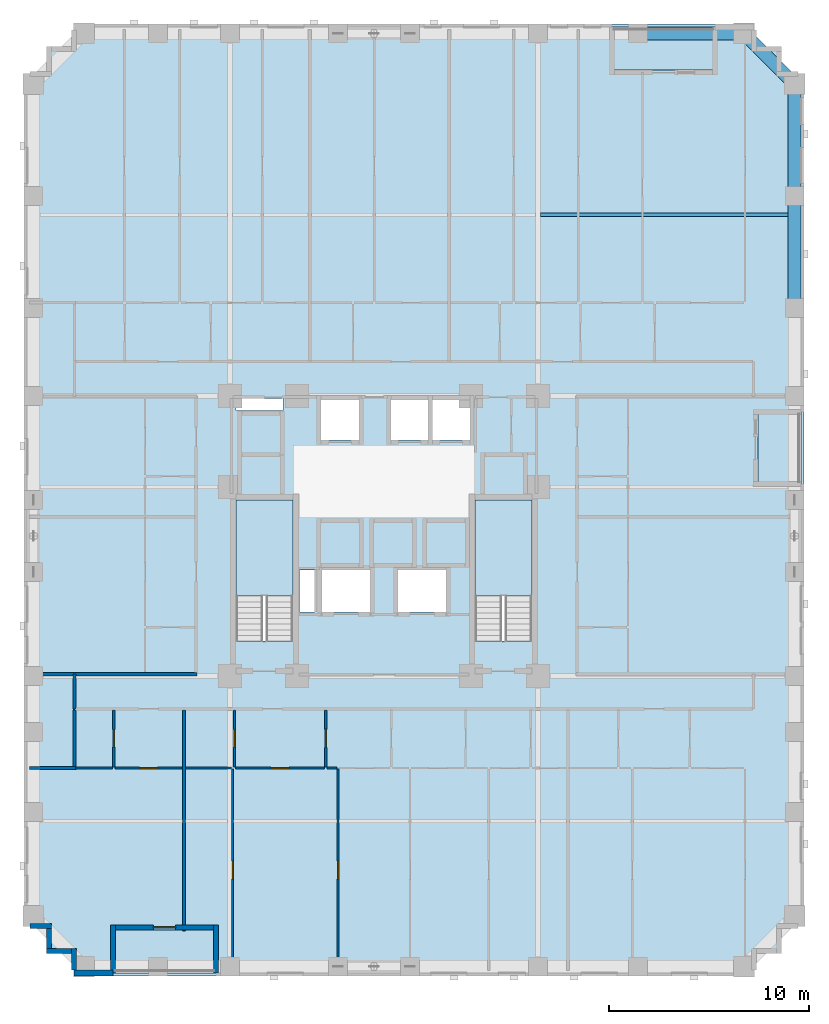
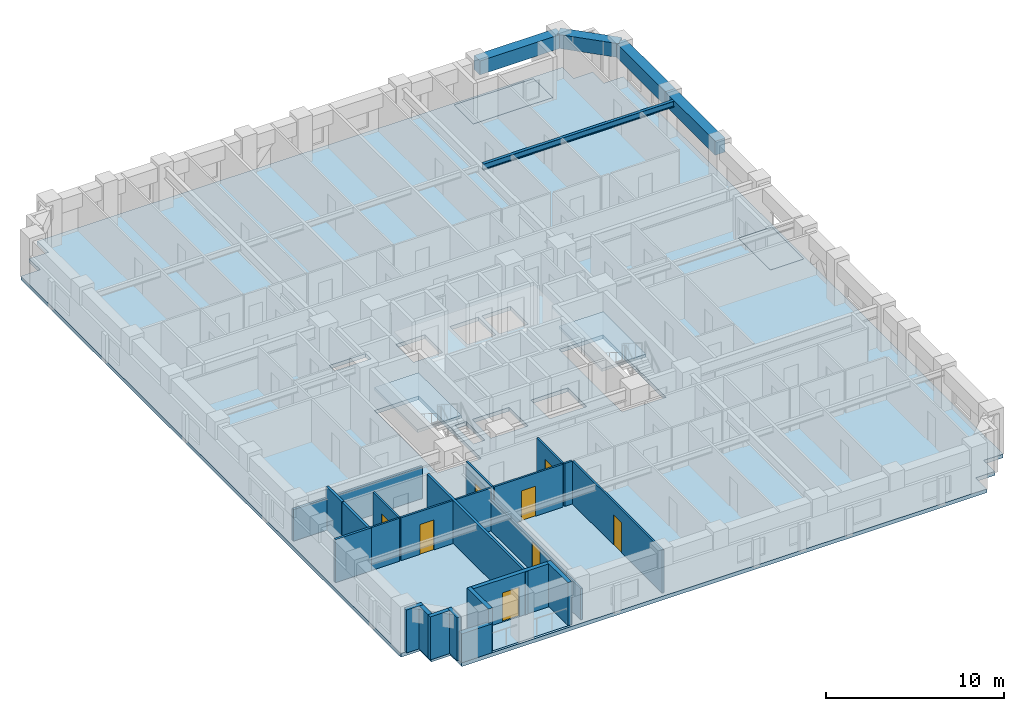
# One storey, part 2 of 13: 23 walls, 8 doors, 6 slabs, 5 beams, 8 openings, 2 elements without a shape of their own.
"""IFC4 building model written with IfcOpenShell, lengths in metres."""

from ifc_helpers import new_model, si_unit, derived_unit, direction, frame, frame_2d, origin, origin_2d, place, context, subcontext, project, spatial, polyline, rectangle, i_section, outline, extrude, material, layer, layer_set, material_profile, profile_set, type_object, element, fill, aggregate, save


model = new_model("IFC4")

# Units and contexts
model_context = context("Model", 3, precision=1e-05, world=origin(), true_north=direction((0.0, 1.0)))
body_context = subcontext(model_context, "Body", "Model", "MODEL_VIEW")
ifc_project = project(units=[si_unit("LENGTHUNIT", "METRE"), si_unit("AREAUNIT", "SQUARE_METRE"), si_unit("VOLUMEUNIT", "CUBIC_METRE"), si_unit("PLANEANGLEUNIT", "RADIAN"), si_unit("MASSUNIT", "GRAM", prefix="KILO"), derived_unit("THERMALTRANSMITTANCEUNIT", [(si_unit("MASSUNIT", "GRAM", prefix="KILO"), 1), (si_unit("TIMEUNIT", "SECOND"), -3), (si_unit("THERMODYNAMICTEMPERATUREUNIT", "KELVIN"), -1)])], contexts=[model_context])

# Site, building, storey
site_placement = place(None, origin())
site = spatial("IfcSite", under=ifc_project, at=site_placement, CompositionType="ELEMENT")
building_placement = place(site_placement, origin())
building = spatial("IfcBuilding", under=site, at=building_placement, Name="Korrvale Station Residences", CompositionType="ELEMENT")
storey_placement = place(building_placement, frame((0.0, 0.0, 35.39990234375)))
storey = spatial("IfcBuildingStorey", under=building, at=storey_placement, Name="L08", CompositionType="ELEMENT", Elevation=35.39990234375)

# Beams
ifc_material_1 = material(Name="Steel S355", Category="steel")
ifc_material_profile_1 = material_profile(ifc_material_1, i_section(OverallWidth=0.180908203125, OverallDepth=0.4169921875, WebThickness=0.010986328125, FlangeThickness=0.018310546875, FilletRadius=0.01611328125, at=origin_2d()), Name="W410x85")
ifc_profile_set_1 = profile_set([ifc_material_profile_1], Name="Steel S355")
beam_type_1 = type_object("IfcBeamType", Name="BM-JST-W410x85-S355", PredefinedType="JOIST", material=ifc_profile_set_1)
beam_1_placement = place(storey_placement, frame((33.333984375, 38.06005859375, 2.731689453125), z_axis=(1.0, 0.0, 0.0), x_axis=(0.0, 1.0, 0.0)))
element("IfcBeam", 1, at=beam_1_placement, inside=storey, type_object=beam_type_1, Name="L08 Floor Framing Joist 06", PredefinedType="JOIST", context=body_context, shape_type="SweptSolid", body=[
    extrude(i_section(OverallWidth=0.180908203125, OverallDepth=0.4169921875, WebThickness=0.010986328125, FlangeThickness=0.018310546875, FilletRadius=0.01611328125, at=origin_2d()), origin(), (0.0, 0.0, 1.0), 12.361083984375),
])
ifc_material_2 = material(Name="Concrete C70/85", Category="concrete")
ifc_material_profile_2 = material_profile(ifc_material_2, rectangle(XDim=0.64990234375, YDim=0.949951171875, at=origin_2d()), Name="RCB650x950")
ifc_profile_set_2 = profile_set([ifc_material_profile_2], Name="Concrete C70/85")
beam_type_2 = type_object("IfcBeamType", Name="BM-SPB-RCB650x950-C7085", PredefinedType="SPANDREL", material=ifc_profile_set_2)
beam_2_placement = place(storey_placement, frame((38.199951171875, 47.1201171875, 2.465087890625), z_axis=(1.0, 0.0, 0.0), x_axis=(0.0, 1.0, 0.0)))
element("IfcBeam", 2, at=beam_2_placement, inside=storey, type_object=beam_type_2, Name="L08 North Tube Spandrel 14", PredefinedType="SPANDREL", context=body_context, shape_type="SweptSolid", body=[
    extrude(rectangle(XDim=0.64990234375, YDim=0.949951171875, at=origin_2d()), origin(), (0.0, 0.0, 1.0), 5.300048828125),
])
for number, where, z_axis, x_axis, name in (
    (3, (46.02001953125, 33.39990234375, 2.465087890625), (0.0, 1.0, 0.0), (-1.0, 0.0, 0.0), "L08 East Tube Spandrel 31"),
    (4, (46.02001953125, 39.0, 2.465087890625), (0.0, 1.0, 0.0), (-1.0, 0.0, 0.0), "L08 East Tube Spandrel 32"),
):
    element("IfcBeam", number, at=place(storey_placement, frame(where, z_axis=z_axis, x_axis=x_axis)), inside=storey, type_object=beam_type_2, Name=name, PredefinedType="SPANDREL", context=body_context, shape_type="SweptSolid", body=[
        extrude(rectangle(XDim=0.64990234375, YDim=0.949951171875, at=origin_2d()), origin(), (0.0, 0.0, 1.0), 5.60009765625),
    ])
beam_3_placement = place(storey_placement, frame((43.5, 47.1201171875, 2.465087890625), z_axis=(0.707106781187, -0.707106781187, 0.0), x_axis=(0.707106781187, 0.707106781187, 0.0)))
element("IfcBeam", 5, at=beam_3_placement, inside=storey, type_object=beam_type_2, Name="L08 Serrated Corner Spandrel 35", PredefinedType="SPANDREL", context=body_context, shape_type="SweptSolid", body=[
    extrude(rectangle(XDim=0.64990234375, YDim=0.949951171875, at=origin_2d()), origin(), (0.0, 0.0, 1.0), 3.56396484375),
])

# Slabs
ifc_material_3 = material(Name="Concrete C50/60", Category="concrete")
ifc_layer_1 = layer(ifc_material_3, 0.219970703125, Name="Concrete C50/60")
ifc_layer_set_1 = layer_set([ifc_layer_1], Name="Concrete C50/60")
slab_type_1 = type_object("IfcSlabType", Name="SLB-BAL-220", PredefinedType="FLOOR", material=ifc_layer_set_1)
slab_1_placement = place(storey_placement, frame((0.0, 0.0, -0.219970703125)))
element("IfcSlab", 6, at=slab_1_placement, inside=storey, type_object=slab_type_1, Name="L08 Recessed Loggia Balcony Slab BAL-L08-S1", PredefinedType="FLOOR", context=body_context, shape_type="SweptSolid", body=[
    extrude(outline(polyline([(11.949951171875, 0.14990234375), (17.10009765625, 0.14990234375), (17.10009765625, 2.300048828125), (11.949951171875, 2.300048828125), (11.949951171875, 0.14990234375)])), origin(), (0.0, 0.0, 1.0), 0.219970703125),
])
slab_2_placement = place(storey_placement, frame((0.0, 0.0, -0.219970703125)))
element("IfcSlab", 7, at=slab_2_placement, inside=storey, type_object=slab_type_1, Name="L08 Recessed Loggia Balcony Slab BAL-L08-N1", PredefinedType="FLOOR", context=body_context, shape_type="SweptSolid", body=[
    extrude(outline(polyline([(36.89990234375, 45.300048828125), (42.050048828125, 45.300048828125), (42.050048828125, 47.449951171875), (36.89990234375, 47.449951171875), (36.89990234375, 45.300048828125)])), origin(), (0.0, 0.0, 1.0), 0.219970703125),
])
slab_3_placement = place(storey_placement, frame((0.0, 0.0, -0.219970703125)))
element("IfcSlab", 8, at=slab_3_placement, inside=storey, type_object=slab_type_1, Name="L08 Recessed Loggia Balcony Slab BAL-L08-E1", PredefinedType="FLOOR", context=body_context, shape_type="SweptSolid", body=[
    extrude(outline(polyline([(44.199951171875, 24.60009765625), (46.35009765625, 24.60009765625), (46.35009765625, 28.199951171875), (44.199951171875, 28.199951171875), (44.199951171875, 24.60009765625)])), origin(), (0.0, 0.0, 1.0), 0.219970703125),
])
ifc_layer_2 = layer(ifc_material_3, 0.260009765625, Name="Concrete C50/60")
ifc_layer_set_2 = layer_set([ifc_layer_2], Name="Concrete C50/60")
slab_type_2 = type_object("IfcSlabType", Name="SLB-FLR-260", PredefinedType="FLOOR", material=ifc_layer_set_2)
slab_4_placement = place(storey_placement, frame((0.0, 0.0, -0.260009765625)))
element("IfcSlab", 9, at=slab_4_placement, inside=storey, type_object=slab_type_2, Name="L08 Suspended Structural Floor Slab", PredefinedType="FLOOR", context=body_context, shape_type="SweptSolid", body=[
    extrude(outline(polyline([(10.0, 0.0), (44.0, 0.0), (44.0, 1.25), (45.25, 1.25), (45.25, 2.5), (46.5, 2.5), (46.5, 45.10009765625), (45.25, 45.10009765625), (45.25, 46.35009765625), (44.0, 46.35009765625), (44.0, 47.60009765625), (10.0, 47.60009765625), (10.0, 46.35009765625), (8.75, 46.35009765625), (8.75, 45.10009765625), (7.5, 45.10009765625), (7.5, 2.5), (8.75, 2.5), (8.75, 1.25), (10.0, 1.25), (10.0, 0.0)]), holes=[polyline([(20.949951171875, 16.751953125), (20.949951171875, 23.800048828125), (18.10009765625, 23.800048828125), (18.10009765625, 16.751953125), (20.949951171875, 16.751953125)]), polyline([(32.89990234375, 16.751953125), (32.89990234375, 23.800048828125), (30.050048828125, 23.800048828125), (30.050048828125, 16.751953125), (32.89990234375, 16.751953125)]), polyline([(22.35009765625, 26.800048828125), (24.25, 26.800048828125), (24.25, 28.800048828125), (22.35009765625, 28.800048828125), (22.35009765625, 26.800048828125)]), polyline([(25.85009765625, 26.800048828125), (27.7099609375, 26.800048828125), (27.7099609375, 28.800048828125), (25.85009765625, 28.800048828125), (25.85009765625, 26.800048828125)]), polyline([(27.929931640625, 26.800048828125), (29.7900390625, 26.800048828125), (29.7900390625, 28.800048828125), (27.929931640625, 28.800048828125), (27.929931640625, 26.800048828125)]), polyline([(22.39990234375, 18.199951171875), (24.800048828125, 18.199951171875), (24.800048828125, 20.300048828125), (22.39990234375, 20.300048828125), (22.39990234375, 18.199951171875)]), polyline([(26.199951171875, 18.199951171875), (28.60009765625, 18.199951171875), (28.60009765625, 20.300048828125), (26.199951171875, 20.300048828125), (26.199951171875, 18.199951171875)]), polyline([(18.10009765625, 28.280029296875), (20.449951171875, 28.280029296875), (20.449951171875, 28.8798828125), (18.10009765625, 28.8798828125), (18.10009765625, 28.280029296875)]), polyline([(21.280029296875, 18.199951171875), (22.02001953125, 18.199951171875), (22.02001953125, 20.300048828125), (21.280029296875, 20.300048828125), (21.280029296875, 18.199951171875)]), polyline([(11.949951171875, 0.14990234375), (17.10009765625, 0.14990234375), (17.10009765625, 2.300048828125), (11.949951171875, 2.300048828125), (11.949951171875, 0.14990234375)]), polyline([(36.89990234375, 45.300048828125), (42.050048828125, 45.300048828125), (42.050048828125, 47.449951171875), (36.89990234375, 47.449951171875), (36.89990234375, 45.300048828125)]), polyline([(44.199951171875, 24.60009765625), (46.35009765625, 24.60009765625), (46.35009765625, 28.199951171875), (44.199951171875, 28.199951171875), (44.199951171875, 24.60009765625)])]), origin(), (0.0, 0.0, 1.0), 0.260009765625),
])

# Stair, slab
stair_type = type_object("IfcStairType", Name="STR-DL-1350-18R-1778", PredefinedType="HALF_TURN_STAIR", material=ifc_material_3)
stair_1_placement = place(storey_placement, origin())
stair_1 = element("IfcStair", 10, at=stair_1_placement, inside=storey, type_object=stair_type, Name="L08 Exit Stair 1", PredefinedType="HALF_TURN_STAIR")
ifc_layer_3 = layer(ifc_material_3, 0.199951171875, Name="Concrete C50/60")
ifc_layer_set_3 = layer_set([ifc_layer_3], Name="Concrete C50/60")
slab_type_3 = type_object("IfcSlabType", Name="SLB-LND-200", PredefinedType="LANDING", material=ifc_layer_set_3)
slab_5_placement = place(storey_placement, frame((0.0, 0.0, 1.400146484375)))
slab_5 = element("IfcSlab", 11, at=slab_5_placement, type_object=slab_type_3, Name="ST-1 landing 1", PredefinedType="LANDING", context=body_context, shape_type="SweptSolid", body=[
    extrude(outline(polyline([(20.949951171875, 18.989990234375), (20.949951171875, 23.800048828125), (18.10009765625, 23.800048828125), (18.10009765625, 18.989990234375), (20.949951171875, 18.989990234375)])), origin(), (0.0, 0.0, 1.0), 0.199951171875),
])
aggregate(stair_1, [slab_5])

stair_2_placement = place(storey_placement, origin())
stair_2 = element("IfcStair", 12, at=stair_2_placement, inside=storey, type_object=stair_type, Name="L08 Exit Stair 2", PredefinedType="HALF_TURN_STAIR")
slab_6_placement = place(storey_placement, frame((0.0, 0.0, 1.400146484375)))
slab_6 = element("IfcSlab", 13, at=slab_6_placement, type_object=slab_type_3, Name="ST-2 landing 1", PredefinedType="LANDING", context=body_context, shape_type="SweptSolid", body=[
    extrude(outline(polyline([(32.89990234375, 18.989990234375), (32.89990234375, 23.800048828125), (30.050048828125, 23.800048828125), (30.050048828125, 18.989990234375), (32.89990234375, 18.989990234375)])), origin(), (0.0, 0.0, 1.0), 0.199951171875),
])
aggregate(stair_2, [slab_6])

# Wall
ifc_material_4 = material(Name="Precast concrete C45/55", Category="concrete")
ifc_layer_4 = layer(ifc_material_4, 0.260009765625, Name="Precast concrete C45/55")
ifc_layer_set_4 = layer_set([ifc_layer_4], Name="Precast concrete C45/55")
wall_type_1 = type_object("IfcWallType", Name="WAL-EXT-LOG260", PredefinedType="SOLIDWALL", material=ifc_layer_set_4)
wall_1_placement = place(storey_placement, frame((17.10009765625, 0.159912109375, 0.0), z_axis=(0.0, 0.0, 1.0), x_axis=(0.0, 1.0, 0.0)))
element("IfcWall", 14, at=wall_1_placement, inside=storey, type_object=wall_type_1, Name="L08 Recessed Loggia Wall BAL-L08-S1-L", PredefinedType="SOLIDWALL", context=body_context, shape_type="SweptSolid", body=[
    extrude(rectangle(XDim=2.400146484375, YDim=0.260009765625, at=frame_2d((1.2001953125, 0.0))), origin(), (0.0, 0.0, 1.0), 2.940185546875),
])

# Wall, opening, door
wall_2_placement = place(storey_placement, frame((16.966064453125, 2.429931640625, 0.0), z_axis=(0.0, 0.0, 1.0), x_axis=(-1.0, 0.0, 0.0)))
wall_2 = element("IfcWall", 15, at=wall_2_placement, inside=storey, type_object=wall_type_1, Name="L08 Recessed Loggia Wall BAL-L08-S1-B", PredefinedType="SOLIDWALL", context=body_context, shape_type="SweptSolid", body=[
    extrude(rectangle(XDim=4.882080078125, YDim=0.260009765625, at=frame_2d((2.44091796875, 0.0))), origin(), (0.0, 0.0, 1.0), 2.940185546875),
])
opening_1_placement = place(wall_2_placement, frame((1.89111328125, 0.0, 0.0)))
opening_1 = element("IfcOpeningElement", 16, at=opening_1_placement, cuts=wall_2, Name="Opening BD-01", PredefinedType="OPENING", context=body_context, shape_type="SweptSolid", body=[
    extrude(rectangle(XDim=1.10009765625, YDim=2.0, at=frame_2d((0.550048828125, 1.0))), frame((0.0, 0.14013671875, 0.0), z_axis=(0.0, -1.0, 0.0), x_axis=(1.0, 0.0, 0.0)), (0.0, 0.0, 1.0), 0.280029296875),
])
ifc_material_5 = material(Name="Exterior thermally broken aluminium glazed balcony door", Category="aluminium")
door_type_1 = type_object("IfcDoorType", Name="DR-EXT-BAL", OperationType="NOTDEFINED", PredefinedType="DOOR", material=ifc_material_5)
door_1_placement = place(opening_1_placement, origin())
door_1 = element("IfcDoor", 17, at=door_1_placement, inside=storey, type_object=door_type_1, Name="L08 Loggia Balcony Door BAL-L08-S1", OperationType="SINGLE_SWING_RIGHT", OverallHeight=2.0, OverallWidth=1.10009765625, PredefinedType="DOOR", context=body_context, shape_type="SweptSolid", body=[
    extrude(rectangle(XDim=1.10009765625, YDim=2.0, at=frame_2d((0.550048828125, 1.0))), frame((0.0, 0.02490234375, 0.0), z_axis=(0.0, -1.0, 0.0), x_axis=(1.0, 0.0, 0.0)), (0.0, 0.0, 1.0), 0.050048828125),
])
fill(opening_1, door_1)

# Walls
wall_3_placement = place(storey_placement, frame((11.949951171875, 2.56005859375, 0.0), z_axis=(0.0, 0.0, 1.0), x_axis=(0.0, -1.0, 0.0)))
element("IfcWall", 18, at=wall_3_placement, inside=storey, type_object=wall_type_1, Name="L08 Recessed Loggia Wall BAL-L08-S1-R", PredefinedType="SOLIDWALL", context=body_context, shape_type="SweptSolid", body=[
    extrude(rectangle(XDim=2.400146484375, YDim=0.260009765625, at=frame_2d((1.2001953125, 0.0))), origin(), (0.0, 0.0, 1.0), 2.940185546875),
])
wall_4_placement = place(storey_placement, frame((10.0, 0.302001953125, 0.0), z_axis=(0.0, 0.0, 1.0), x_axis=(0.0, 1.0, 0.0)))
element("IfcWall", 19, at=wall_4_placement, inside=storey, type_object=wall_type_1, Name="L08 Serrated Corner Precast Step SW-1", PredefinedType="SOLIDWALL", context=body_context, shape_type="SweptSolid", body=[
    extrude(rectangle(XDim=1.077880859375, YDim=0.260009765625, at=frame_2d((0.5390625, 0.0))), origin(), (0.0, 0.0, 1.0), 2.940185546875),
])
wall_5_placement = place(storey_placement, frame((9.867919921875, 1.25, 0.0), z_axis=(0.0, 0.0, 1.0), x_axis=(-1.0, 0.0, 0.0)))
element("IfcWall", 20, at=wall_5_placement, inside=storey, type_object=wall_type_1, Name="L08 Serrated Corner Precast Step SW-2", PredefinedType="SOLIDWALL", context=body_context, shape_type="SweptSolid", body=[
    extrude(rectangle(XDim=1.247802734375, YDim=0.260009765625, at=frame_2d((0.6240234375, 0.0))), origin(), (0.0, 0.0, 1.0), 2.940185546875),
])
wall_6_placement = place(storey_placement, frame((8.75, 1.382080078125, 0.0), z_axis=(0.0, 0.0, 1.0), x_axis=(0.0, 1.0, 0.0)))
element("IfcWall", 21, at=wall_6_placement, inside=storey, type_object=wall_type_1, Name="L08 Serrated Corner Precast Step SW-3", PredefinedType="SOLIDWALL", context=body_context, shape_type="SweptSolid", body=[
    extrude(rectangle(XDim=0.98583984375, YDim=0.260009765625, at=frame_2d((0.492919921875, 0.0))), origin(), (0.0, 0.0, 1.0), 2.940185546875),
])
wall_7_placement = place(storey_placement, frame((8.8798828125, 2.5, 0.0), z_axis=(0.0, 0.0, 1.0), x_axis=(-1.0, 0.0, 0.0)))
element("IfcWall", 22, at=wall_7_placement, inside=storey, type_object=wall_type_1, Name="L08 Serrated Corner Precast Step SW-4", PredefinedType="SOLIDWALL", context=body_context, shape_type="SweptSolid", body=[
    extrude(rectangle(XDim=1.077880859375, YDim=0.260009765625, at=frame_2d((0.5390625, 0.0))), origin(), (0.0, 0.0, 1.0), 2.940185546875),
])
ifc_layer_5 = layer(ifc_material_4, 0.300048828125, Name="Precast concrete C45/55")
ifc_layer_set_5 = layer_set([ifc_layer_5], Name="Precast concrete C45/55")
wall_type_2 = type_object("IfcWallType", Name="WAL-EXT-PC300", PredefinedType="SOLIDWALL", material=ifc_layer_set_5)
wall_8_placement = place(storey_placement, frame((11.949951171875, 0.14990234375, 0.0), z_axis=(0.0, 0.0, 1.0), x_axis=(-1.0, 0.0, 0.0)))
element("IfcWall", 23, at=wall_8_placement, inside=storey, type_object=wall_type_2, Name="L08 South Exterior Precast Wall 2", PredefinedType="SOLIDWALL", context=body_context, shape_type="SweptSolid", body=[
    extrude(rectangle(XDim=1.949951171875, YDim=0.300048828125, at=frame_2d((0.97509765625, 0.0))), origin(), (0.0, 0.0, 1.0), 1.97509765625),
])

# Wall, opening, door
ifc_material_6 = material(Name="Acoustic steel-stud gypsum board partition", Category="steel")
ifc_layer_6 = layer(ifc_material_6, 0.1201171875, Name="Acoustic steel-stud gypsum board partition")
ifc_layer_set_6 = layer_set([ifc_layer_6], Name="Acoustic steel-stud gypsum board partition")
wall_type_3 = type_object("IfcWallType", Name="WAL-PART-125", PredefinedType="PARTITIONING", material=ifc_layer_set_6)
wall_9_placement = place(storey_placement, frame((11.989990234375, 10.4599609375, 0.0), z_axis=(0.0, 0.0, 1.0), x_axis=(0.0, 1.0, 0.0)))
wall_9 = element("IfcWall", 24, at=wall_9_placement, inside=storey, type_object=wall_type_3, Name="L08 Suite Partition U01-V01", PredefinedType="PARTITIONING", context=body_context, shape_type="SweptSolid", body=[
    extrude(rectangle(XDim=2.85009765625, YDim=0.1201171875, at=frame_2d((1.425048828125, 0.0))), origin(), (0.0, 0.0, 1.0), 2.940185546875),
])
opening_2_placement = place(wall_9_placement, frame((0.9951171875, 0.0, 0.0)))
opening_2 = element("IfcOpeningElement", 25, at=opening_2_placement, cuts=wall_9, Name="Opening DB-860", PredefinedType="OPENING", context=body_context, shape_type="SweptSolid", body=[
    extrude(rectangle(XDim=0.860107421875, YDim=2.050048828125, at=frame_2d((0.43017578125, 1.02490234375))), frame((0.0, 0.070068359375, 0.0), z_axis=(0.0, -1.0, 0.0), x_axis=(1.0, 0.0, 0.0)), (0.0, 0.0, 1.0), 0.14013671875),
])
ifc_material_7 = material(Name="Moisture-resistant solid-core bathroom door", Category="timber")
door_type_2 = type_object("IfcDoorType", Name="DR-BATH-860", OperationType="NOTDEFINED", PredefinedType="DOOR", material=ifc_material_7)
door_2_placement = place(opening_2_placement, origin())
door_2 = element("IfcDoor", 26, at=door_2_placement, inside=storey, type_object=door_type_2, Name="L08 Studio Apartment L08-U01 Bathroom Door", OperationType="SINGLE_SWING_RIGHT", OverallHeight=2.050048828125, OverallWidth=0.860107421875, PredefinedType="DOOR", context=body_context, shape_type="SweptSolid", body=[
    extrude(rectangle(XDim=0.860107421875, YDim=2.050048828125, at=frame_2d((0.43017578125, 1.02490234375))), frame((0.0, 0.02490234375, 0.0), z_axis=(0.0, -1.0, 0.0), x_axis=(1.0, 0.0, 0.0)), (0.0, 0.0, 1.0), 0.050048828125),
])
fill(opening_2, door_2)

# Wall
wall_10_placement = place(storey_placement, frame((10.080078125, 10.39990234375, 0.0), z_axis=(0.0, 0.0, 1.0), x_axis=(1.0, 0.0, 0.0)))
element("IfcWall", 27, at=wall_10_placement, inside=storey, type_object=wall_type_3, Name="L08 Suite Partition U01-H02", PredefinedType="PARTITIONING", context=body_context, shape_type="SweptSolid", body=[
    extrude(rectangle(XDim=1.849853515625, YDim=0.1201171875, at=frame_2d((0.9248046875, 0.0))), origin(), (0.0, 0.0, 1.0), 2.940185546875),
])

# Wall, opening, door
wall_11_placement = place(storey_placement, frame((12.050048828125, 10.39990234375, 0.0), z_axis=(0.0, 0.0, 1.0), x_axis=(1.0, 0.0, 0.0)))
wall_11 = element("IfcWall", 28, at=wall_11_placement, inside=storey, type_object=wall_type_3, Name="L08 Suite Partition U01-H12", PredefinedType="PARTITIONING", context=body_context, shape_type="SweptSolid", body=[
    extrude(rectangle(XDim=3.35595703125, YDim=0.1201171875, at=frame_2d((1.677978515625, 0.0))), origin(), (0.0, 0.0, 1.0), 2.940185546875),
])
opening_3_placement = place(wall_11_placement, frame((1.22802734375, 0.0, 0.0)))
opening_3 = element("IfcOpeningElement", 29, at=opening_3_placement, cuts=wall_11, Name="Opening DI-900", PredefinedType="OPENING", context=body_context, shape_type="SweptSolid", body=[
    extrude(rectangle(XDim=0.89990234375, YDim=2.050048828125, at=frame_2d((0.449951171875, 1.02490234375))), frame((0.0, 0.070068359375, 0.0), z_axis=(0.0, -1.0, 0.0), x_axis=(1.0, 0.0, 0.0)), (0.0, 0.0, 1.0), 0.14013671875),
])
ifc_material_8 = material(Name="Painted solid-core timber interior room door", Category="wood")
door_type_3 = type_object("IfcDoorType", Name="DR-INT-900", OperationType="NOTDEFINED", PredefinedType="DOOR", material=ifc_material_8)
door_3_placement = place(opening_3_placement, origin())
door_3 = element("IfcDoor", 30, at=door_3_placement, inside=storey, type_object=door_type_3, Name="L08 Studio Apartment L08-U01 Kitchen Door", OperationType="SINGLE_SWING_LEFT", OverallHeight=2.050048828125, OverallWidth=0.89990234375, PredefinedType="DOOR", context=body_context, shape_type="SweptSolid", body=[
    extrude(rectangle(XDim=0.89990234375, YDim=2.050048828125, at=frame_2d((0.449951171875, 1.02490234375))), frame((0.0, 0.02490234375, 0.0), z_axis=(0.0, -1.0, 0.0), x_axis=(1.0, 0.0, 0.0)), (0.0, 0.0, 1.0), 0.050048828125),
])
fill(opening_3, door_3)

wall_12_placement = place(storey_placement, frame((18.02587890625, 10.4599609375, 0.0), z_axis=(0.0, 0.0, 1.0), x_axis=(0.0, 1.0, 0.0)))
wall_12 = element("IfcWall", 31, at=wall_12_placement, inside=storey, type_object=wall_type_3, Name="L08 Suite Partition U02-V01", PredefinedType="PARTITIONING", context=body_context, shape_type="SweptSolid", body=[
    extrude(rectangle(XDim=2.85009765625, YDim=0.1201171875, at=frame_2d((1.425048828125, 0.0))), origin(), (0.0, 0.0, 1.0), 2.940185546875),
])
opening_4_placement = place(wall_12_placement, frame((0.9951171875, 0.0, 0.0)))
opening_4 = element("IfcOpeningElement", 32, at=opening_4_placement, cuts=wall_12, Name="Opening DB-860", PredefinedType="OPENING", context=body_context, shape_type="SweptSolid", body=[
    extrude(rectangle(XDim=0.860107421875, YDim=2.050048828125, at=frame_2d((0.43017578125, 1.02490234375))), frame((0.0, 0.070068359375, 0.0), z_axis=(0.0, -1.0, 0.0), x_axis=(1.0, 0.0, 0.0)), (0.0, 0.0, 1.0), 0.14013671875),
])
door_4_placement = place(opening_4_placement, origin())
door_4 = element("IfcDoor", 33, at=door_4_placement, inside=storey, type_object=door_type_2, Name="L08 Apartment 2BR L08-U02 Bathroom Door", OperationType="SINGLE_SWING_RIGHT", OverallHeight=2.050048828125, OverallWidth=0.860107421875, PredefinedType="DOOR", context=body_context, shape_type="SweptSolid", body=[
    extrude(rectangle(XDim=0.860107421875, YDim=2.050048828125, at=frame_2d((0.43017578125, 1.02490234375))), frame((0.0, 0.02490234375, 0.0), z_axis=(0.0, -1.0, 0.0), x_axis=(1.0, 0.0, 0.0)), (0.0, 0.0, 1.0), 0.050048828125),
])
fill(opening_4, door_4)

# Wall
wall_13_placement = place(storey_placement, frame((15.56591796875, 10.39990234375, 0.0), z_axis=(0.0, 0.0, 1.0), x_axis=(1.0, 0.0, 0.0)))
element("IfcWall", 34, at=wall_13_placement, inside=storey, type_object=wall_type_3, Name="L08 Suite Partition U02-H06", PredefinedType="PARTITIONING", context=body_context, shape_type="SweptSolid", body=[
    extrude(rectangle(XDim=2.300048828125, YDim=0.1201171875, at=frame_2d((1.14990234375, 0.0))), origin(), (0.0, 0.0, 1.0), 2.940185546875),
])

# Wall, opening, door
wall_14_placement = place(storey_placement, frame((22.5859375, 10.4599609375, 0.0), z_axis=(0.0, 0.0, 1.0), x_axis=(0.0, 1.0, 0.0)))
wall_14 = element("IfcWall", 35, at=wall_14_placement, inside=storey, type_object=wall_type_3, Name="L08 Suite Partition U02-V12", PredefinedType="PARTITIONING", context=body_context, shape_type="SweptSolid", body=[
    extrude(rectangle(XDim=2.85009765625, YDim=0.1201171875, at=frame_2d((1.425048828125, 0.0))), origin(), (0.0, 0.0, 1.0), 2.940185546875),
])
opening_5_placement = place(wall_14_placement, frame((0.97509765625, 0.0, 0.0)))
opening_5 = element("IfcOpeningElement", 36, at=opening_5_placement, cuts=wall_14, Name="Opening DI-900", PredefinedType="OPENING", context=body_context, shape_type="SweptSolid", body=[
    extrude(rectangle(XDim=0.89990234375, YDim=2.050048828125, at=frame_2d((0.449951171875, 1.02490234375))), frame((0.0, 0.070068359375, 0.0), z_axis=(0.0, -1.0, 0.0), x_axis=(1.0, 0.0, 0.0)), (0.0, 0.0, 1.0), 0.14013671875),
])
door_5_placement = place(opening_5_placement, origin())
door_5 = element("IfcDoor", 37, at=door_5_placement, inside=storey, type_object=door_type_3, Name="L08 Apartment 2BR L08-U02 Kitchen Door", OperationType="SINGLE_SWING_LEFT", OverallHeight=2.050048828125, OverallWidth=0.89990234375, PredefinedType="DOOR", context=body_context, shape_type="SweptSolid", body=[
    extrude(rectangle(XDim=0.89990234375, YDim=2.050048828125, at=frame_2d((0.449951171875, 1.02490234375))), frame((0.0, 0.02490234375, 0.0), z_axis=(0.0, -1.0, 0.0), x_axis=(1.0, 0.0, 0.0)), (0.0, 0.0, 1.0), 0.050048828125),
])
fill(opening_5, door_5)

wall_15_placement = place(storey_placement, frame((18.0859375, 10.39990234375, 0.0), z_axis=(0.0, 0.0, 1.0), x_axis=(1.0, 0.0, 0.0)))
wall_15 = element("IfcWall", 38, at=wall_15_placement, inside=storey, type_object=wall_type_3, Name="L08 Suite Partition U02-H17", PredefinedType="PARTITIONING", context=body_context, shape_type="SweptSolid", body=[
    extrude(rectangle(XDim=4.43994140625, YDim=0.1201171875, at=frame_2d((2.219970703125, 0.0))), origin(), (0.0, 0.0, 1.0), 2.940185546875),
])
opening_6_placement = place(wall_15_placement, frame((1.77001953125, 0.0, 0.0)))
opening_6 = element("IfcOpeningElement", 39, at=opening_6_placement, cuts=wall_15, Name="Opening DI-900", PredefinedType="OPENING", context=body_context, shape_type="SweptSolid", body=[
    extrude(rectangle(XDim=0.89990234375, YDim=2.050048828125, at=frame_2d((0.449951171875, 1.02490234375))), frame((0.0, 0.070068359375, 0.0), z_axis=(0.0, -1.0, 0.0), x_axis=(1.0, 0.0, 0.0)), (0.0, 0.0, 1.0), 0.14013671875),
])
door_6_placement = place(opening_6_placement, origin())
door_6 = element("IfcDoor", 40, at=door_6_placement, inside=storey, type_object=door_type_3, Name="L08 Apartment 2BR L08-U02 Kitchen Door", OperationType="SINGLE_SWING_RIGHT", OverallHeight=2.050048828125, OverallWidth=0.89990234375, PredefinedType="DOOR", context=body_context, shape_type="SweptSolid", body=[
    extrude(rectangle(XDim=0.89990234375, YDim=2.050048828125, at=frame_2d((0.449951171875, 1.02490234375))), frame((0.0, 0.02490234375, 0.0), z_axis=(0.0, -1.0, 0.0), x_axis=(1.0, 0.0, 0.0)), (0.0, 0.0, 1.0), 0.050048828125),
])
fill(opening_6, door_6)

# Wall
wall_16_placement = place(storey_placement, frame((22.64599609375, 10.39990234375, 0.0), z_axis=(0.0, 0.0, 1.0), x_axis=(1.0, 0.0, 0.0)))
element("IfcWall", 41, at=wall_16_placement, inside=storey, type_object=wall_type_3, Name="L08 Suite Partition U02-H27", PredefinedType="PARTITIONING", context=body_context, shape_type="SweptSolid", body=[
    extrude(rectangle(XDim=0.493896484375, YDim=0.1201171875, at=frame_2d((0.2470703125, 0.0))), origin(), (0.0, 0.0, 1.0), 2.940185546875),
])

# Wall, opening, door
wall_17_placement = place(storey_placement, frame((17.926025390625, 0.280029296875, 0.0), z_axis=(0.0, 0.0, 1.0), x_axis=(0.0, 1.0, 0.0)))
wall_17 = element("IfcWall", 42, at=wall_17_placement, inside=storey, type_object=wall_type_3, Name="L08 Suite Partition U02-V67", PredefinedType="PARTITIONING", context=body_context, shape_type="SweptSolid", body=[
    extrude(rectangle(XDim=10.06005859375, YDim=0.1201171875, at=frame_2d((5.030029296875, 0.0))), origin(), (0.0, 0.0, 1.0), 2.155029296875),
])
opening_7_placement = place(wall_17_placement, frame((4.56494140625, 0.0, 0.0)))
opening_7 = element("IfcOpeningElement", 43, at=opening_7_placement, cuts=wall_17, Name="Opening DI-900", PredefinedType="OPENING", context=body_context, shape_type="SweptSolid", body=[
    extrude(rectangle(XDim=0.89990234375, YDim=2.050048828125, at=frame_2d((0.449951171875, 1.02490234375))), frame((0.0, 0.070068359375, 0.0), z_axis=(0.0, -1.0, 0.0), x_axis=(1.0, 0.0, 0.0)), (0.0, 0.0, 1.0), 0.14013671875),
])
door_7_placement = place(opening_7_placement, origin())
door_7 = element("IfcDoor", 44, at=door_7_placement, inside=storey, type_object=door_type_3, Name="L08 Apartment 2BR L08-U02 Wardrobe Storage Room Door", OperationType="SINGLE_SWING_RIGHT", OverallHeight=2.050048828125, OverallWidth=0.89990234375, PredefinedType="DOOR", context=body_context, shape_type="SweptSolid", body=[
    extrude(rectangle(XDim=0.89990234375, YDim=2.050048828125, at=frame_2d((0.449951171875, 1.02490234375))), frame((0.0, 0.02490234375, 0.0), z_axis=(0.0, -1.0, 0.0), x_axis=(1.0, 0.0, 0.0)), (0.0, 0.0, 1.0), 0.050048828125),
])
fill(opening_7, door_7)

wall_18_placement = place(storey_placement, frame((23.199951171875, 0.280029296875, 0.0), z_axis=(0.0, 0.0, 1.0), x_axis=(0.0, 1.0, 0.0)))
wall_18 = element("IfcWall", 45, at=wall_18_placement, inside=storey, type_object=wall_type_3, Name="L08 Suite Partition U02-V78", PredefinedType="PARTITIONING", context=body_context, shape_type="SweptSolid", body=[
    extrude(rectangle(XDim=10.06005859375, YDim=0.1201171875, at=frame_2d((5.030029296875, 0.0))), origin(), (0.0, 0.0, 1.0), 2.940185546875),
])
opening_8_placement = place(wall_18_placement, frame((4.56494140625, 0.0, 0.0)))
opening_8 = element("IfcOpeningElement", 46, at=opening_8_placement, cuts=wall_18, Name="Opening DI-900", PredefinedType="OPENING", context=body_context, shape_type="SweptSolid", body=[
    extrude(rectangle(XDim=0.89990234375, YDim=2.050048828125, at=frame_2d((0.449951171875, 1.02490234375))), frame((0.0, 0.070068359375, 0.0), z_axis=(0.0, -1.0, 0.0), x_axis=(1.0, 0.0, 0.0)), (0.0, 0.0, 1.0), 0.14013671875),
])
door_8_placement = place(opening_8_placement, origin())
door_8 = element("IfcDoor", 47, at=door_8_placement, inside=storey, type_object=door_type_3, Name="L08 Apartment 2BR L08-U02 Living and Dining Room Door", OperationType="SINGLE_SWING_LEFT", OverallHeight=2.050048828125, OverallWidth=0.89990234375, PredefinedType="DOOR", context=body_context, shape_type="SweptSolid", body=[
    extrude(rectangle(XDim=0.89990234375, YDim=2.050048828125, at=frame_2d((0.449951171875, 1.02490234375))), frame((0.0, 0.02490234375, 0.0), z_axis=(0.0, -1.0, 0.0), x_axis=(1.0, 0.0, 0.0)), (0.0, 0.0, 1.0), 0.050048828125),
])
fill(opening_8, door_8)

# Walls
ifc_material_9 = material(Name="Fire-rated twin-stud gypsum and mineral wool shaftwall assembly", Category="gypsum")
ifc_layer_7 = layer(ifc_material_9, 0.159912109375, Name="Fire-rated twin-stud gypsum and mineral wool shaftwall assembly")
ifc_layer_set_7 = layer_set([ifc_layer_7], Name="Fire-rated twin-stud gypsum and mineral wool shaftwall assembly")
wall_type_4 = type_object("IfcWallType", Name="WAL-PART-200", PredefinedType="PARTITIONING", material=ifc_layer_set_7)
wall_19_placement = place(storey_placement, frame((10.02001953125, 13.35009765625, 0.0), z_axis=(0.0, 0.0, 1.0), x_axis=(0.0, 1.0, 0.0)))
element("IfcWall", 48, at=wall_19_placement, inside=storey, type_object=wall_type_4, Name="L08 Corridor South West Cap", PredefinedType="PARTITIONING", context=body_context, shape_type="SweptSolid", body=[
    extrude(rectangle(XDim=1.739990234375, YDim=0.159912109375, at=frame_2d((0.8701171875, 0.0))), origin(), (0.0, 0.0, 1.0), 2.940185546875),
])
wall_20_placement = place(storey_placement, frame((7.780029296875, 15.090087890625, 0.0), z_axis=(0.0, 0.0, 1.0), x_axis=(1.0, 0.0, 0.0)))
element("IfcWall", 49, at=wall_20_placement, inside=storey, type_object=wall_type_4, Name="L08 West Wing South Corridor Wall", PredefinedType="PARTITIONING", context=body_context, shape_type="SweptSolid", body=[
    extrude(rectangle(XDim=8.35986328125, YDim=0.159912109375, at=frame_2d((4.179931640625, 0.0))), origin(), (0.0, 0.0, 1.0), 2.155029296875),
])
wall_21_placement = place(storey_placement, frame((7.780029296875, 10.39990234375, 0.0), z_axis=(0.0, 0.0, 1.0), x_axis=(1.0, 0.0, 0.0)))
element("IfcWall", 50, at=wall_21_placement, inside=storey, type_object=wall_type_4, Name="L08 Corner Step Wall U01-L", PredefinedType="PARTITIONING", context=body_context, shape_type="SweptSolid", body=[
    extrude(rectangle(XDim=2.340087890625, YDim=0.159912109375, at=frame_2d((1.169921875, 0.0))), origin(), (0.0, 0.0, 1.0), 2.940185546875),
])
wall_22_placement = place(storey_placement, frame((10.02001953125, 10.39990234375, 0.0), z_axis=(0.0, 0.0, 1.0), x_axis=(0.0, 1.0, 0.0)))
element("IfcWall", 51, at=wall_22_placement, inside=storey, type_object=wall_type_4, Name="L08 Corner Step Cheek U01-L", PredefinedType="PARTITIONING", context=body_context, shape_type="SweptSolid", body=[
    extrude(rectangle(XDim=2.91015625, YDim=0.159912109375, at=frame_2d((1.455078125, 0.0))), origin(), (0.0, 0.0, 1.0), 2.940185546875),
])
wall_23_placement = place(storey_placement, frame((15.506103515625, 2.260009765625, 0.0), z_axis=(0.0, 0.0, 1.0), x_axis=(0.0, 1.0, 0.0)))
element("IfcWall", 52, at=wall_23_placement, inside=storey, type_object=wall_type_4, Name="L08 Demising Wall U02-W", PredefinedType="PARTITIONING", context=body_context, shape_type="SweptSolid", body=[
    extrude(rectangle(XDim=11.050048828125, YDim=0.159912109375, at=frame_2d((5.52490234375, 0.0))), origin(), (0.0, 0.0, 1.0), 2.940185546875),
])

save(model, "model.ifc")
